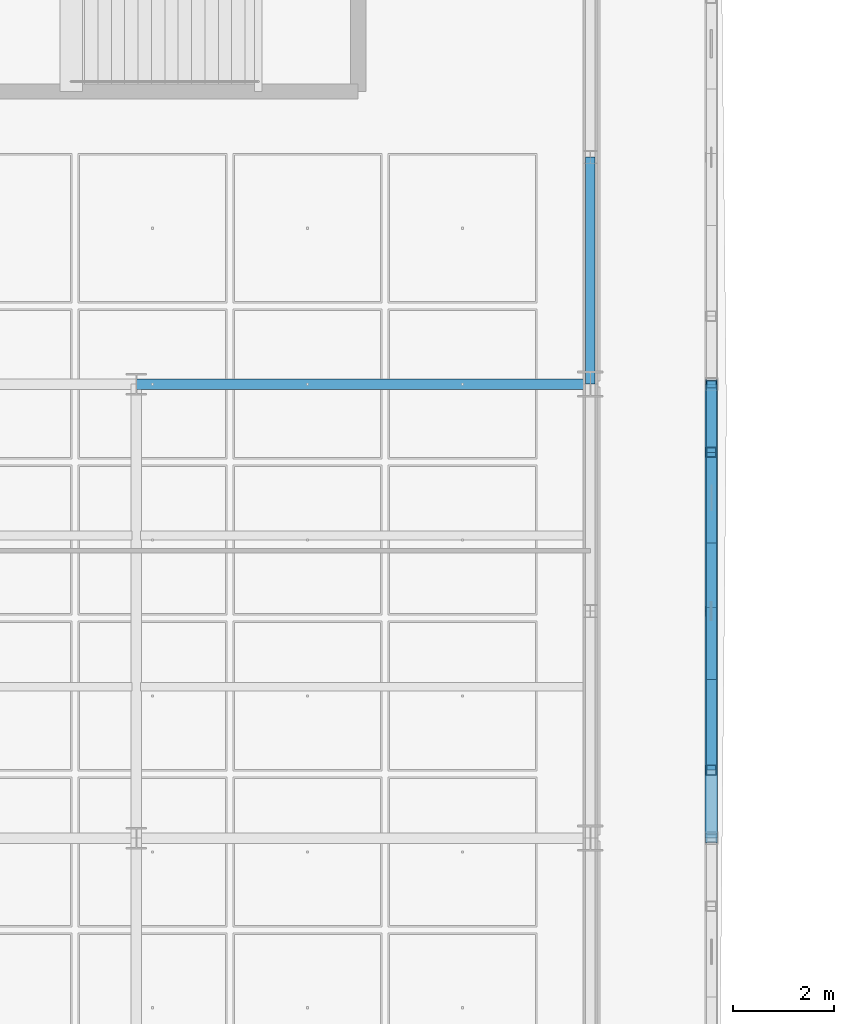
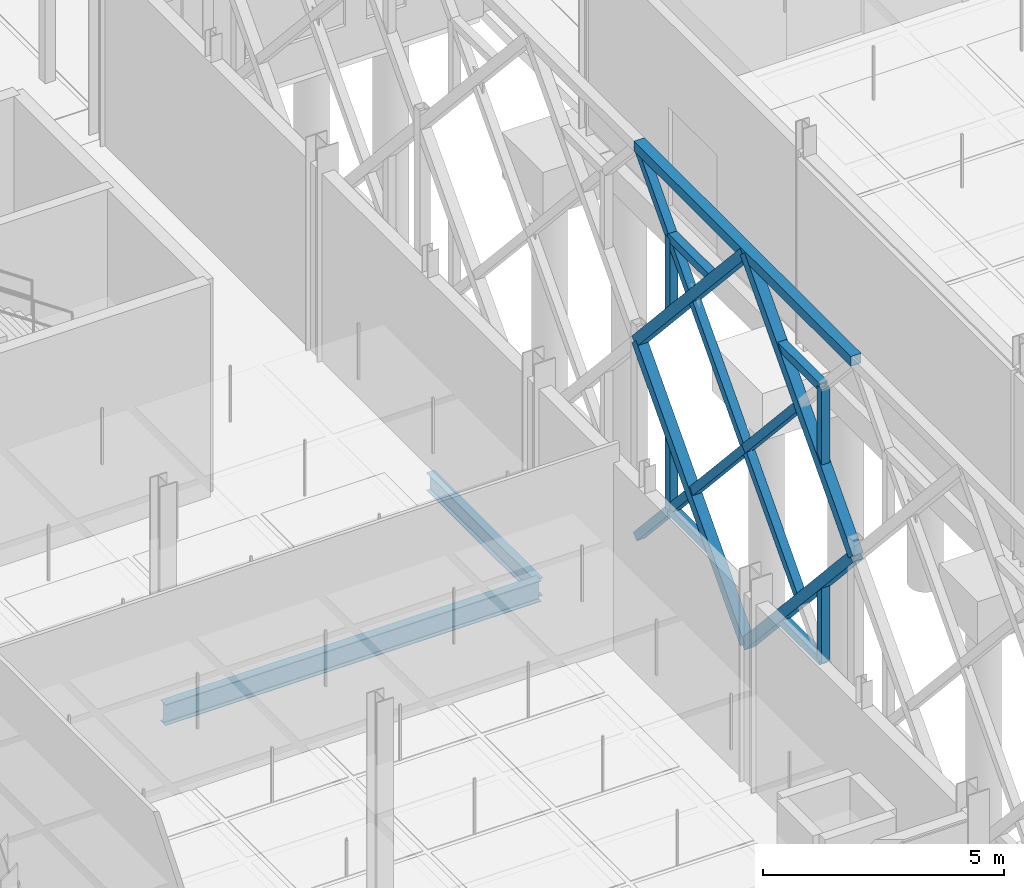
# One storey, part 40 of 180: 18 members, 2 beams.
"""IFC4 building model written with IfcOpenShell, lengths in metres."""

from ifc_helpers import new_model, si_unit, direction, frame, origin, origin_2d, place, context, subcontext, project, spatial, hollow_rectangle, i_section, extrude, material, material_profile, profile_set, type_object, element, save


model = new_model("IFC4")

# Units and contexts
model_context = context("Model", 3, precision=1e-05, world=origin(), true_north=direction((0.0, 1.0)))
body_context = subcontext(model_context, "Body", "Model", "MODEL_VIEW")
ifc_project = project(units=[si_unit("LENGTHUNIT", "METRE"), si_unit("AREAUNIT", "SQUARE_METRE"), si_unit("VOLUMEUNIT", "CUBIC_METRE"), si_unit("PLANEANGLEUNIT", "RADIAN"), si_unit("MASSUNIT", "GRAM", prefix="KILO"), si_unit("THERMODYNAMICTEMPERATUREUNIT", "KELVIN"), si_unit("POWERUNIT", "WATT")], contexts=[model_context])

# Site, building, storey
site_placement = place(None, origin())
site = spatial("IfcSite", under=ifc_project, at=site_placement, CompositionType="ELEMENT")
building_placement = place(site_placement, origin())
building = spatial("IfcBuilding", under=site, at=building_placement, Name="Tallowbark Science Centre", CompositionType="ELEMENT")
storey_placement = place(building_placement, origin())
storey = spatial("IfcBuildingStorey", under=building, at=storey_placement, Name="L00", CompositionType="ELEMENT", Elevation=0.0)

# Beam
ifc_material_1 = material(Name="Structural Steel Grade 300PLUS (300 MPa)", Category="steel")
ifc_material_profile_1 = material_profile(ifc_material_1, i_section(OverallWidth=0.208984375, OverallDepth=0.532958984375, WebThickness=0.01025390625, FlangeThickness=0.015625, FilletRadius=0.013916015625, at=origin_2d()), Name="530UB92.4")
ifc_profile_set_1 = profile_set([ifc_material_profile_1], Name="Structural Steel Grade 300PLUS (300 MPa)")
beam_type_1 = type_object("IfcBeamType", Name="BM-UB530A", PredefinedType="BEAM", material=ifc_profile_set_1)
beam_1_placement = place(storey_placement, frame((94.5, 22.5, -0.506591796875), z_axis=(1.0, 0.0, 0.0), x_axis=(0.0, 1.0, 0.0)))
element("IfcBeam", 1, at=beam_1_placement, inside=storey, type_object=beam_type_1, Name="Primary Girder GRDX-L00-945-1035-225", PredefinedType="BEAM", context=body_context, shape_type="SweptSolid", body=[
    extrude(i_section(OverallWidth=0.208984375, OverallDepth=0.532958984375, WebThickness=0.01025390625, FlangeThickness=0.015625, FilletRadius=0.013916015625, at=origin_2d()), origin(), (0.0, 0.0, 1.0), 9.0),
])

# Members
ifc_material_2 = material(Name="White Architectural Painted Steel Grade C350L0 (350 MPa)", Category="steel")
ifc_material_profile_2 = material_profile(ifc_material_2, hollow_rectangle(XDim=0.25, YDim=0.25, WallThickness=0.009033203125, at=origin_2d()), Name="250x250x9.0SHS")
ifc_profile_set_2 = profile_set([ifc_material_profile_2], Name="White Architectural Painted Steel Grade C350L0 (350 MPa)")
member_type_1 = type_object("IfcMemberType", Name="SCR-CHD200", PredefinedType="CHORD", material=ifc_profile_set_2)
member_1_placement = place(storey_placement, frame((105.89990234375, 13.5, 9.89990234375), z_axis=(0.0, 1.0, 0.0), x_axis=(-1.0, 0.0, 0.0)))
element("IfcMember", 2, at=member_1_placement, inside=storey, type_object=member_type_1, Name="Star Screen Frame Chord E-12", PredefinedType="CHORD", context=body_context, shape_type="SweptSolid", body=[
    extrude(hollow_rectangle(XDim=0.25, YDim=0.25, WallThickness=0.009033203125, at=origin_2d()), origin(), (0.0, 0.0, 1.0), 9.0),
])
for number, where, z_axis, x_axis, name in (
    (3, (105.89990234375, 18.0, 0.0), (0.0, 0.672676426978, 0.739936770669), (-1.0, 0.0, 0.0), "Star Screen Octagram Diamond Chord E-12-1"),
    (4, (105.89990234375, 22.5, 4.949951171875), (0.0, -0.672676426978, 0.739936770669), (1.0, 0.0, 0.0), "Star Screen Octagram Diamond Chord E-12-2"),
    (5, (105.89990234375, 18.0, 9.89990234375), (0.0, -0.672676426978, -0.739936770669), (1.0, 0.0, 0.0), "Star Screen Octagram Diamond Chord E-12-3"),
    (6, (105.89990234375, 13.5, 4.949951171875), (0.0, 0.672676426978, -0.739936770669), (-1.0, 0.0, 0.0), "Star Screen Octagram Diamond Chord E-12-4"),
):
    element("IfcMember", number, at=place(storey_placement, frame(where, z_axis=z_axis, x_axis=x_axis)), inside=storey, type_object=member_type_1, Name=name, PredefinedType="CHORD", context=body_context, shape_type="SweptSolid", body=[
        extrude(hollow_rectangle(XDim=0.25, YDim=0.25, WallThickness=0.009033203125, at=origin_2d()), origin(), (0.0, 0.0, 1.0), 6.689697265625),
    ])
ifc_material_profile_3 = material_profile(ifc_material_2, hollow_rectangle(XDim=0.199951171875, YDim=0.199951171875, WallThickness=0.009033203125, at=origin_2d()), Name="200x200x9.0SHS")
ifc_profile_set_3 = profile_set([ifc_material_profile_3], Name="White Architectural Painted Steel Grade C350L0 (350 MPa)")
member_type_2 = type_object("IfcMemberType", Name="SCR-STAR139", PredefinedType="BRACE", material=ifc_profile_set_3)
member_2_placement = place(storey_placement, frame((105.89990234375, 15.75, 2.47509765625), z_axis=(0.0, 0.672676426978, 0.739936770669), x_axis=(-1.0, 0.0, 0.0)))
element("IfcMember", 7, at=member_2_placement, inside=storey, type_object=member_type_2, Name="Star Screen Continuous X-Diagonal D1M E-12", PredefinedType="BRACE", context=body_context, shape_type="SweptSolid", body=[
    extrude(hollow_rectangle(XDim=0.199951171875, YDim=0.199951171875, WallThickness=0.009033203125, at=origin_2d()), origin(), (0.0, 0.0, 1.0), 6.689697265625),
])
member_3_placement = place(storey_placement, frame((105.89990234375, 20.25, 7.425048828125), z_axis=(0.0, 0.672694592231, 0.739920256233), x_axis=(-1.0, 0.0, 0.0)))
element("IfcMember", 8, at=member_3_placement, inside=storey, type_object=member_type_2, Name="Star Screen Continuous X-Diagonal D1B E-12", PredefinedType="BRACE", context=body_context, shape_type="SweptSolid", body=[
    extrude(hollow_rectangle(XDim=0.199951171875, YDim=0.199951171875, WallThickness=0.009033203125, at=origin_2d()), origin(), (0.0, 0.0, 1.0), 3.3447265625),
])
member_4_placement = place(storey_placement, frame((105.89990234375, 15.75, 7.425048828125), z_axis=(0.0, 0.672658262301, -0.739953283768), x_axis=(-1.0, 0.0, 0.0)))
element("IfcMember", 9, at=member_4_placement, inside=storey, type_object=member_type_2, Name="Star Screen Split X-Diagonal D2B E-12", PredefinedType="BRACE", context=body_context, shape_type="SweptSolid", body=[
    extrude(hollow_rectangle(XDim=0.199951171875, YDim=0.199951171875, WallThickness=0.009033203125, at=origin_2d()), origin(), (0.0, 0.0, 1.0), 3.344970703125),
])
member_5_placement = place(storey_placement, frame((105.89990234375, 18.0, 4.949951171875), z_axis=(0.0, 0.672694592231, -0.739920256233), x_axis=(-1.0, 0.0, 0.0)))
element("IfcMember", 10, at=member_5_placement, inside=storey, type_object=member_type_2, Name="Star Screen Split X-Diagonal D2C E-12", PredefinedType="BRACE", context=body_context, shape_type="SweptSolid", body=[
    extrude(hollow_rectangle(XDim=0.199951171875, YDim=0.199951171875, WallThickness=0.009033203125, at=origin_2d()), origin(), (0.0, 0.0, 1.0), 3.3447265625),
])
member_6_placement = place(storey_placement, frame((105.89990234375, 20.25, 2.47509765625), z_axis=(0.0, 0.672658262301, -0.739953283768), x_axis=(-1.0, 0.0, 0.0)))
element("IfcMember", 11, at=member_6_placement, inside=storey, type_object=member_type_2, Name="Star Screen Split X-Diagonal D2D E-12", PredefinedType="BRACE", context=body_context, shape_type="SweptSolid", body=[
    extrude(hollow_rectangle(XDim=0.199951171875, YDim=0.199951171875, WallThickness=0.009033203125, at=origin_2d()), origin(), (0.0, 0.0, 1.0), 3.344970703125),
])
ifc_material_profile_4 = material_profile(ifc_material_2, hollow_rectangle(XDim=0.199951171875, YDim=0.199951171875, WallThickness=0.009033203125, at=origin_2d()), Name="200x200x9.0SHS")
ifc_profile_set_4 = profile_set([ifc_material_profile_4], Name="White Architectural Painted Steel Grade C350L0 (350 MPa)")
member_type_3 = type_object("IfcMemberType", Name="SCR-SUB150", PredefinedType="BRACE", material=ifc_profile_set_4)
member_7_placement = place(storey_placement, frame((105.89990234375, 14.85009765625, 1.485107421875), z_axis=(0.0, 1.0, 0.0), x_axis=(-1.0, 0.0, 0.0)))
element("IfcMember", 12, at=member_7_placement, inside=storey, type_object=member_type_3, Name="Star Screen Octagram Point Ray E-12-1", PredefinedType="BRACE", context=body_context, shape_type="SweptSolid", body=[
    extrude(hollow_rectangle(XDim=0.199951171875, YDim=0.199951171875, WallThickness=0.009033203125, at=origin_2d()), origin(), (0.0, 0.0, 1.0), 1.7998046875),
])
member_8_placement = place(storey_placement, frame((105.89990234375, 14.85009765625, 1.485107421875), z_axis=(0.0, 0.0, 1.0), x_axis=(1.0, 0.0, 0.0)))
element("IfcMember", 13, at=member_8_placement, inside=storey, type_object=member_type_3, Name="Star Screen Octagram Point Ray E-12-2", PredefinedType="BRACE", context=body_context, shape_type="SweptSolid", body=[
    extrude(hollow_rectangle(XDim=0.199951171875, YDim=0.199951171875, WallThickness=0.009033203125, at=origin_2d()), origin(), (0.0, 0.0, 1.0), 1.97998046875),
])
member_9_placement = place(storey_placement, frame((105.89990234375, 21.14990234375, 1.485107421875), z_axis=(0.0, -1.0, 0.0), x_axis=(1.0, 0.0, 0.0)))
element("IfcMember", 14, at=member_9_placement, inside=storey, type_object=member_type_3, Name="Star Screen Octagram Point Ray E-12-3", PredefinedType="BRACE", context=body_context, shape_type="SweptSolid", body=[
    extrude(hollow_rectangle(XDim=0.199951171875, YDim=0.199951171875, WallThickness=0.009033203125, at=origin_2d()), origin(), (0.0, 0.0, 1.0), 1.7998046875),
])
member_10_placement = place(storey_placement, frame((105.89990234375, 21.14990234375, 1.485107421875), z_axis=(0.0, 0.0, 1.0), x_axis=(1.0, 0.0, 0.0)))
element("IfcMember", 15, at=member_10_placement, inside=storey, type_object=member_type_3, Name="Star Screen Octagram Point Ray E-12-4", PredefinedType="BRACE", context=body_context, shape_type="SweptSolid", body=[
    extrude(hollow_rectangle(XDim=0.199951171875, YDim=0.199951171875, WallThickness=0.009033203125, at=origin_2d()), origin(), (0.0, 0.0, 1.0), 1.97998046875),
])
member_11_placement = place(storey_placement, frame((105.89990234375, 21.14990234375, 8.4150390625), z_axis=(0.0, -1.0, 0.0), x_axis=(1.0, 0.0, 0.0)))
element("IfcMember", 16, at=member_11_placement, inside=storey, type_object=member_type_3, Name="Star Screen Octagram Point Ray E-12-5", PredefinedType="BRACE", context=body_context, shape_type="SweptSolid", body=[
    extrude(hollow_rectangle(XDim=0.199951171875, YDim=0.199951171875, WallThickness=0.009033203125, at=origin_2d()), origin(), (0.0, 0.0, 1.0), 1.7998046875),
])
member_12_placement = place(storey_placement, frame((105.89990234375, 21.14990234375, 8.4150390625), z_axis=(0.0, 0.0, -1.0), x_axis=(1.0, 0.0, 0.0)))
element("IfcMember", 17, at=member_12_placement, inside=storey, type_object=member_type_3, Name="Star Screen Octagram Point Ray E-12-6", PredefinedType="BRACE", context=body_context, shape_type="SweptSolid", body=[
    extrude(hollow_rectangle(XDim=0.199951171875, YDim=0.199951171875, WallThickness=0.009033203125, at=origin_2d()), origin(), (0.0, 0.0, 1.0), 1.97998046875),
])
member_13_placement = place(storey_placement, frame((105.89990234375, 14.85009765625, 8.4150390625), z_axis=(0.0, 1.0, 0.0), x_axis=(-1.0, 0.0, 0.0)))
element("IfcMember", 18, at=member_13_placement, inside=storey, type_object=member_type_3, Name="Star Screen Octagram Point Ray E-12-7", PredefinedType="BRACE", context=body_context, shape_type="SweptSolid", body=[
    extrude(hollow_rectangle(XDim=0.199951171875, YDim=0.199951171875, WallThickness=0.009033203125, at=origin_2d()), origin(), (0.0, 0.0, 1.0), 1.7998046875),
])
member_14_placement = place(storey_placement, frame((105.89990234375, 14.85009765625, 8.4150390625), z_axis=(0.0, 0.0, -1.0), x_axis=(1.0, 0.0, 0.0)))
element("IfcMember", 19, at=member_14_placement, inside=storey, type_object=member_type_3, Name="Star Screen Octagram Point Ray E-12-8", PredefinedType="BRACE", context=body_context, shape_type="SweptSolid", body=[
    extrude(hollow_rectangle(XDim=0.199951171875, YDim=0.199951171875, WallThickness=0.009033203125, at=origin_2d()), origin(), (0.0, 0.0, 1.0), 1.97998046875),
])

# Beam
ifc_material_profile_5 = material_profile(ifc_material_1, i_section(OverallWidth=0.18994140625, OverallDepth=0.453857421875, WebThickness=0.008544921875, FlangeThickness=0.0126953125, FilletRadius=0.011474609375, at=origin_2d()), Name="460UB67.1")
ifc_profile_set_5 = profile_set([ifc_material_profile_5], Name="Structural Steel Grade 300PLUS (300 MPa)")
beam_type_2 = type_object("IfcBeamType", Name="SPN-UB460", PredefinedType="SPANDREL", material=ifc_profile_set_5)
beam_2_placement = place(storey_placement, frame((103.5, 22.5, -0.491943359375), z_axis=(0.0, 1.0, 0.0), x_axis=(-1.0, 0.0, 0.0)))
element("IfcBeam", 20, at=beam_2_placement, inside=storey, type_object=beam_type_2, Name="Primary Girder GRDY-L00-1035-225-270", PredefinedType="SPANDREL", context=body_context, shape_type="SweptSolid", body=[
    extrude(i_section(OverallWidth=0.18994140625, OverallDepth=0.453857421875, WebThickness=0.008544921875, FlangeThickness=0.0126953125, FilletRadius=0.011474609375, at=origin_2d()), origin(), (0.0, 0.0, 1.0), 4.5),
])

save(model, "model.ifc")
